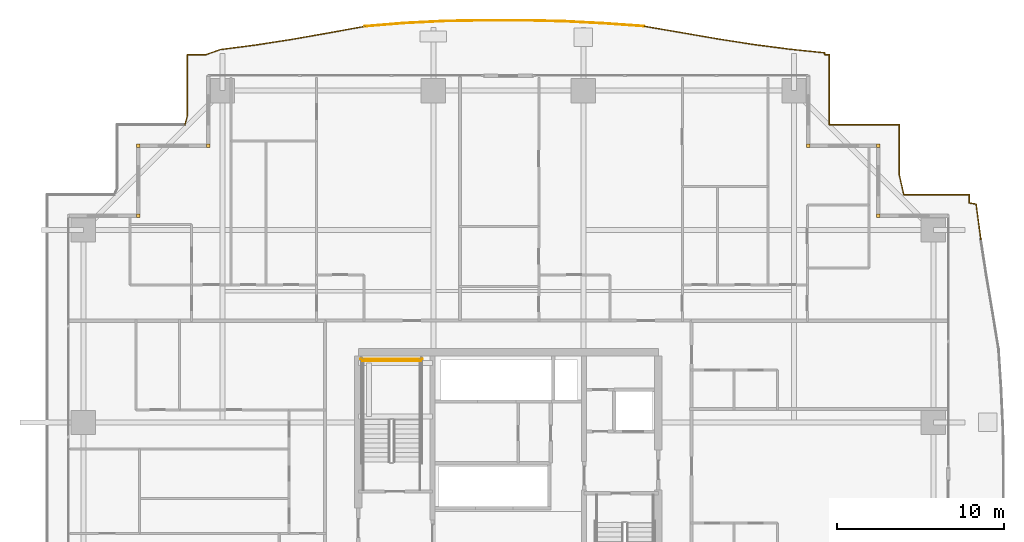
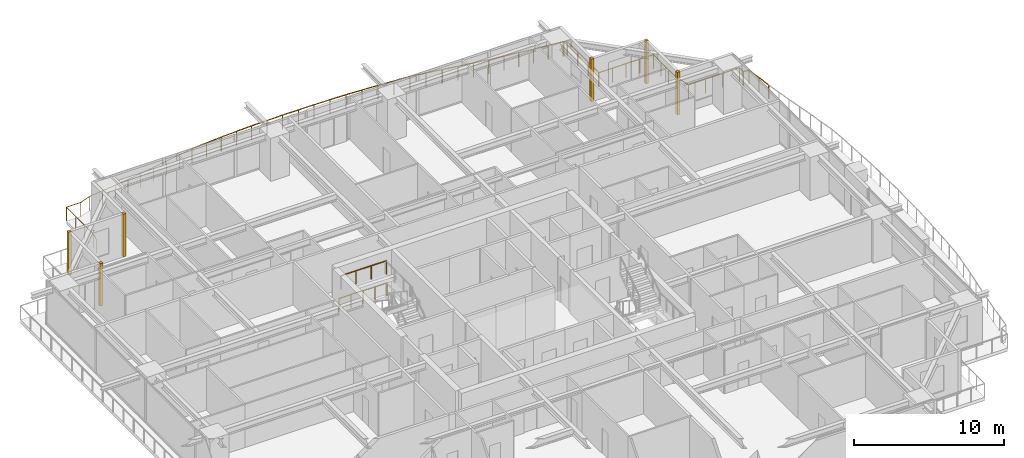
# One storey, part 38 of 38: 6 coverings, 6 railings.
"""IFC4 building model written with IfcOpenShell, lengths in metres."""

import ifcopenshell
import ifcopenshell.guid

model = None  # the IFC model being written
_history = None  # IfcOwnerHistory: only IFC2X3 demands one
_inside = {}  # id of a spatial element -> (the spatial element, [elements in it])
_under = {}  # id of a project, library or spatial element -> (it, [spatial elements below it])
_declared = {}  # id of a project -> (the project, [libraries it declares])
_typed = {}  # id of a type object -> (the type object, [elements of that type])
_made_of = {}  # id of a material, layer set ... -> (it, [elements and type objects made of it])


def new_model(schema):
    """Start an empty IFC model of exactly this schema.

    Asked for "IFC4X3", IfcOpenShell would pick the latest addendum, in which some entities
    have other attributes; the version numbers below select the first issue.
    IFC2X3 requires an IfcOwnerHistory on every rooted entity: one is made here for all.
    """
    global model, _history
    if schema == "IFC4X3":
        model = ifcopenshell.file(schema_version=(4, 3, 0, 0))
    else:
        model = ifcopenshell.file(schema=schema)
    _inside.clear()
    _under.clear()
    _declared.clear()
    _typed.clear()
    _made_of.clear()
    _history = None
    if model.schema == "IFC2X3":
        org = make("IfcOrganization", Name="unknown")
        user = make(
            "IfcPersonAndOrganization",
            ThePerson=make("IfcPerson", FamilyName="unknown"),
            TheOrganization=org,
        )
        app = make(
            "IfcApplication",
            ApplicationDeveloper=org,
            Version="unknown",
            ApplicationFullName="unknown",
            ApplicationIdentifier="unknown",
        )
        _history = make(
            "IfcOwnerHistory",
            OwningUser=user,
            OwningApplication=app,
            ChangeAction="ADDED",
            CreationDate=0,
        )
    return model


def make(cls, **values):
    """One entity of the class cls with the attributes given. An attribute that is None is left unset."""
    return model.create_entity(
        cls, **{name: value for name, value in values.items() if value is not None}
    )


def rooted(cls, **values):
    """An entity with a GlobalId (a new one), such as an element, a storey or a relation."""
    return make(cls, GlobalId=ifcopenshell.guid.new(), OwnerHistory=_history, **values)


def si_unit(unit_type, name, prefix=None):
    """IfcSIUnit, for example si_unit("LENGTHUNIT", "METRE", prefix="MILLI")."""
    return make("IfcSIUnit", UnitType=unit_type, Prefix=prefix, Name=name)


def assignment(units):
    """IfcUnitAssignment: the units of a project."""
    return None if units is None else make("IfcUnitAssignment", Units=units)


def point(xyz):
    """IfcCartesianPoint."""
    return None if xyz is None else make("IfcCartesianPoint", Coordinates=xyz)


def direction(xyz):
    """IfcDirection."""
    return None if xyz is None else make("IfcDirection", DirectionRatios=xyz)


def frame(location, z_axis=None, x_axis=None):
    """IfcAxis2Placement3D, a coordinate frame: its origin and axes. An axis left out is left unset."""
    return make(
        "IfcAxis2Placement3D",
        Location=point(location),
        Axis=direction(z_axis),
        RefDirection=direction(x_axis),
    )


def frame_2d(location, x_axis=None):
    """IfcAxis2Placement2D, a coordinate frame in the plane: its origin and x axis."""
    return make(
        "IfcAxis2Placement2D", Location=point(location), RefDirection=direction(x_axis)
    )


def origin():
    """The frame at (0, 0, 0) with its axes left unset."""
    return frame((0.0, 0.0, 0.0))


def origin_2d():
    """The frame at (0, 0) in the plane with its x axis left unset."""
    return frame_2d((0.0, 0.0))


def place(relative_to, where):
    """IfcLocalPlacement: puts the frame where relative to a parent placement (None: the world)."""
    return make(
        "IfcLocalPlacement", PlacementRelTo=relative_to, RelativePlacement=where
    )


def context(
    kind, dimensions, precision=None, world=None, true_north=None, identifier=None
):
    """IfcGeometricRepresentationContext, for example the 3D "Model" context."""
    return make(
        "IfcGeometricRepresentationContext",
        ContextIdentifier=identifier,
        ContextType=kind,
        CoordinateSpaceDimension=dimensions,
        Precision=precision,
        WorldCoordinateSystem=world,
        TrueNorth=true_north,
    )


def subcontext(parent, identifier, kind, view, scale=None):
    """IfcGeometricRepresentationSubContext, for example "Body" below "Model"."""
    return make(
        "IfcGeometricRepresentationSubContext",
        ContextIdentifier=identifier,
        ContextType=kind,
        ParentContext=parent,
        TargetScale=scale,
        TargetView=view,
    )


def project(units=None, contexts=None):
    """IfcProject with its units and contexts."""
    return rooted(
        "IfcProject",
        Name="project",
        RepresentationContexts=contexts,
        UnitsInContext=assignment(units),
    )


def spatial(cls, under=None, at=None, **own):
    """A site, building, storey or space (cls), placed at a placement, below another one or the project."""
    s = rooted(cls, ObjectPlacement=at, **own)
    if under is not None:
        _under.setdefault(under.id(), (under, []))[1].append(s)
    return s


def profile(cls, at=None, kind="AREA", **sizes):
    """A parametric profile (cls). Its sizes go by their IFC names, for example OverallWidth=200.0."""
    return make(cls, ProfileType=kind, Position=at, **sizes)


def rectangle(**sizes):
    """IfcRectangleProfileDef."""
    return profile("IfcRectangleProfileDef", **sizes)


def circle(**sizes):
    """IfcCircleProfileDef."""
    return profile("IfcCircleProfileDef", **sizes)


def extrude(swept, where, along, depth):
    """IfcExtrudedAreaSolid: the profile swept, set in the frame where, extruded along a direction by depth."""
    return make(
        "IfcExtrudedAreaSolid",
        SweptArea=swept,
        Position=where,
        ExtrudedDirection=direction(along),
        Depth=depth,
    )


def shape(context_of_items, identifier, shape_type, items):
    """IfcShapeRepresentation: the items that make up one representation, for example the "Body"."""
    return make(
        "IfcShapeRepresentation",
        ContextOfItems=context_of_items,
        RepresentationIdentifier=identifier,
        RepresentationType=shape_type,
        Items=items,
    )


def source(mapping_origin, context_of_items, identifier, shape_type, items):
    """IfcRepresentationMap: a shape defined once, which mapped items show again and again."""
    return make(
        "IfcRepresentationMap",
        MappingOrigin=mapping_origin,
        MappedRepresentation=shape(context_of_items, identifier, shape_type, items),
    )


def transform(
    local_origin,
    x_axis=None,
    y_axis=None,
    z_axis=None,
    scale=None,
    scale2=None,
    scale3=None,
    uniform=True,
):
    """IfcCartesianTransformationOperator3D, or its non-uniform kind. x_axis, y_axis, z_axis: its Axis1, 2, 3."""
    if uniform:
        return make(
            "IfcCartesianTransformationOperator3D",
            Axis1=direction(x_axis),
            Axis2=direction(y_axis),
            LocalOrigin=point(local_origin),
            Scale=scale,
            Axis3=direction(z_axis),
        )
    return make(
        "IfcCartesianTransformationOperator3DnonUniform",
        Axis1=direction(x_axis),
        Axis2=direction(y_axis),
        LocalOrigin=point(local_origin),
        Scale=scale,
        Axis3=direction(z_axis),
        Scale2=scale2,
        Scale3=scale3,
    )


def mapped(mapping_source, mapping_target):
    """IfcMappedItem: shows the shape of a source again, moved by a transform."""
    return make(
        "IfcMappedItem", MappingSource=mapping_source, MappingTarget=mapping_target
    )


def material(Name=None, Category=None):
    """IfcMaterial."""
    return make("IfcMaterial", Name=Name, Category=Category)


def layer(
    of_material, thickness, ventilated=None, Name=None, Category=None, Priority=None
):
    """IfcMaterialLayer: one layer of a wall or slab, of a material (None: an air gap)."""
    return make(
        "IfcMaterialLayer",
        Material=of_material,
        LayerThickness=thickness,
        IsVentilated=ventilated,
        Name=Name,
        Category=Category,
        Priority=Priority,
    )


def layer_set(layers, Name=None):
    """IfcMaterialLayerSet."""
    return make("IfcMaterialLayerSet", MaterialLayers=layers, LayerSetName=Name)


def made_of(thing, what):
    """Note that an element or type object is made of a material, layer set ...; save() writes the relation."""
    if what is not None:
        _made_of.setdefault(what.id(), (what, []))[1].append(thing)
    return thing


def type_object(cls, material=None, **own):
    """A type object (cls), such as IfcWallType, which elements share."""
    return made_of(rooted(cls, **own), material)


def element(
    cls,
    number,
    at=None,
    inside=None,
    cuts=None,
    type_object=None,
    material=None,
    context=None,
    identifier="Body",
    shape_type=None,
    held_by="IfcProductDefinitionShape",
    body=None,
    shapes=None,
    **own,
):
    """One element of the class cls, such as IfcWall. Its Tag is "e" and its number.

    at: its placement. inside: the storey or other place that contains it. cuts: it is an
    opening in that element (IfcRelVoidsElement). A single representation is given by context,
    identifier, shape_type and body (its items); several are given by shapes. held_by: the class
    of the entity that holds the representations. save() writes the other relations.
    """
    e = rooted(cls, Tag="e%d" % number, ObjectPlacement=at, **own)
    if body is not None:
        shapes = [shape(context, identifier, shape_type, body)]
    if shapes is not None:
        e.Representation = make(held_by, Representations=shapes)
    if inside is not None:
        _inside.setdefault(inside.id(), (inside, []))[1].append(e)
    if cuts is not None:
        rooted(
            "IfcRelVoidsElement", RelatingBuildingElement=cuts, RelatedOpeningElement=e
        )
    if type_object is not None:
        _typed.setdefault(type_object.id(), (type_object, []))[1].append(e)
    return made_of(e, material)


def aggregate(whole, parts):
    """IfcRelAggregates: a whole, such as a stair, and the parts it consists of."""
    return rooted("IfcRelAggregates", RelatingObject=whole, RelatedObjects=parts)


def save(model, path):
    """Write the relations noted so far, then the file.

    IfcRelAggregates (storeys below a building ...), IfcRelContainedInSpatialStructure (elements
    in a storey), IfcRelDefinesByType, IfcRelAssociatesMaterial and IfcRelDeclares: one each for
    every whole, place, type object, material and project.
    """
    for whole, parts in _under.values():
        aggregate(whole, parts)
    for where, things in _inside.values():
        rooted(
            "IfcRelContainedInSpatialStructure",
            RelatedElements=things,
            RelatingStructure=where,
        )
    for kind, things in _typed.values():
        rooted("IfcRelDefinesByType", RelatedObjects=things, RelatingType=kind)
    for what, things in _made_of.values():
        rooted("IfcRelAssociatesMaterial", RelatedObjects=things, RelatingMaterial=what)
    for by, libraries in _declared.values():
        rooted("IfcRelDeclares", RelatingContext=by, RelatedDefinitions=libraries)
    model.write(path)


model = new_model("IFC4")

# Units and contexts
model_context = context("Model", 3, precision=1e-05, world=origin(), true_north=direction((0.0, 1.0)))
body_context = subcontext(model_context, "Body", "Model", "MODEL_VIEW")
ifc_project = project(units=[si_unit("LENGTHUNIT", "METRE"), si_unit("AREAUNIT", "SQUARE_METRE"), si_unit("VOLUMEUNIT", "CUBIC_METRE"), si_unit("PLANEANGLEUNIT", "RADIAN"), si_unit("MASSUNIT", "GRAM", prefix="KILO")], contexts=[model_context])

# Site, building, storey
site_placement = place(None, origin())
site = spatial("IfcSite", under=ifc_project, at=site_placement, CompositionType="ELEMENT")
building_placement = place(site_placement, origin())
building = spatial("IfcBuilding", under=site, at=building_placement, Name="Serunith Strait Residences", CompositionType="ELEMENT")
storey_placement = place(building_placement, frame((0.0, 0.0, 82.949951171875)))
storey = spatial("IfcBuildingStorey", under=building, at=storey_placement, Name="L20", CompositionType="ELEMENT", Elevation=82.949951171875)

# Railings
ifc_material_1 = material(Name="Stainless Steel & Laminated Glass Balustrade", Category="steel")
railing_type_1 = type_object("IfcRailingType", Name="RLG-BALC-1150", PredefinedType="BALUSTRADE", material=ifc_material_1)
railing_1_placement = place(storey_placement, frame((12.99658203125, 47.260009765625, -0.050048828125)))
element("IfcRailing", 1, at=railing_1_placement, inside=storey, type_object=railing_type_1, Name="L20 Swirling Balcony Perimeter Balustrade 1", PredefinedType="BALUSTRADE", context=body_context, shape_type="SweptSolid", body=[
    extrude(circle(Radius=0.02392578125, at=origin_2d()), frame((0.00048828125, 0.001953125, 1.1259765625), z_axis=(0.255414145636, 0.966831740381, 0.0), x_axis=(-0.966831740381, 0.255414145636, 0.0)), (0.0, 0.0, 1.0), 0.55712890625),
    extrude(circle(Radius=0.02392578125, at=origin_2d()), frame((0.143310546875, 0.54443359375, 1.1259765625), z_axis=(0.0, 1.0, 0.0), x_axis=(-1.0, 0.0, 0.0)), (0.0, 0.0, 1.0), 3.653564453125),
    extrude(circle(Radius=0.02392578125, at=origin_2d()), frame((0.145263671875, 4.199951171875, 1.1259765625), z_axis=(1.0, 0.0, 0.0), x_axis=(0.0, 1.0, 0.0)), (0.0, 0.0, 1.0), 1.10791015625),
    extrude(circle(Radius=0.02392578125, at=origin_2d()), frame((1.257080078125, 4.20068359375, 1.1259765625), z_axis=(0.940740950108, 0.339126030836, 0.0), x_axis=(-0.339126030836, 0.940740950108, 0.0)), (0.0, 0.0, 1.0), 0.910400390625),
    extrude(circle(Radius=0.02392578125, at=origin_2d()), frame((2.1171875, 4.51025390625, 1.1259765625), z_axis=(0.991765712114, 0.128065499942, 0.0), x_axis=(-0.128065499942, 0.991765712114, 0.0)), (0.0, 0.0, 1.0), 2.135009765625),
    extrude(circle(Radius=0.02392578125, at=origin_2d()), frame((4.238525390625, 4.7841796875, 1.1259765625), z_axis=(0.988143846319, 0.153530905623, 0.0), x_axis=(-0.153530905623, 0.988143846319, 0.0)), (0.0, 0.0, 1.0), 2.161865234375),
    extrude(circle(Radius=0.02392578125, at=origin_2d()), frame((6.378662109375, 5.11669921875, 1.1259765625), z_axis=(0.984996232379, 0.172575844772, 0.0), x_axis=(-0.172575844772, 0.984996232379, 0.0)), (0.0, 0.0, 1.0), 2.207275390625),
    extrude(circle(Radius=0.02392578125, at=origin_2d()), frame((8.556640625, 5.498291015625, 1.1259765625), z_axis=(0.984029368343, 0.178006185955, 0.0), x_axis=(-0.178006185955, 0.984029368343, 0.0)), (0.0, 0.0, 1.0), 2.2685546875),
    extrude(circle(Radius=0.02099609375, at=origin_2d()), origin(), (0.0, 0.0, 1.0), 1.099853515625),
    extrude(circle(Radius=0.02099609375, at=origin_2d()), frame((0.143310546875, 0.54248046875, 0.0)), (0.0, 0.0, 1.0), 1.099853515625),
    extrude(circle(Radius=0.02099609375, at=origin_2d()), frame((0.143310546875, 1.76171875, 0.0)), (0.0, 0.0, 1.0), 1.099853515625),
    extrude(circle(Radius=0.02099609375, at=origin_2d()), frame((0.143310546875, 2.980712890625, 0.0)), (0.0, 0.0, 1.0), 1.099853515625),
    extrude(circle(Radius=0.02099609375, at=origin_2d()), frame((0.143310546875, 4.199951171875, 0.0)), (0.0, 0.0, 1.0), 1.099853515625),
    extrude(circle(Radius=0.02099609375, at=origin_2d()), frame((1.255126953125, 4.199951171875, 0.0)), (0.0, 0.0, 1.0), 1.099853515625),
    extrude(circle(Radius=0.02099609375, at=origin_2d()), frame((2.115234375, 4.510009765625, 0.0)), (0.0, 0.0, 1.0), 1.099853515625),
    extrude(circle(Radius=0.02099609375, at=origin_2d()), frame((3.17578125, 4.64697265625, 0.0)), (0.0, 0.0, 1.0), 1.099853515625),
    extrude(circle(Radius=0.02099609375, at=origin_2d()), frame((4.236572265625, 4.783935546875, 0.0)), (0.0, 0.0, 1.0), 1.099853515625),
    extrude(circle(Radius=0.02099609375, at=origin_2d()), frame((5.306640625, 4.9501953125, 0.0)), (0.0, 0.0, 1.0), 1.099853515625),
    extrude(circle(Radius=0.02099609375, at=origin_2d()), frame((6.376708984375, 5.116455078125, 0.0)), (0.0, 0.0, 1.0), 1.099853515625),
    extrude(circle(Radius=0.02099609375, at=origin_2d()), frame((7.4658203125, 5.30712890625, 0.0)), (0.0, 0.0, 1.0), 1.099853515625),
    extrude(circle(Radius=0.02099609375, at=origin_2d()), frame((8.5546875, 5.498046875, 0.0)), (0.0, 0.0, 1.0), 1.099853515625),
    extrude(circle(Radius=0.02099609375, at=origin_2d()), frame((9.6728515625, 5.7001953125, 0.0)), (0.0, 0.0, 1.0), 1.099853515625),
    extrude(circle(Radius=0.02099609375, at=origin_2d()), frame((10.791015625, 5.902587890625, 0.0)), (0.0, 0.0, 1.0), 1.099853515625),
])
railing_2_placement = place(storey_placement, frame((23.78759765625, 53.16259765625, -0.050048828125)))
element("IfcRailing", 2, at=railing_2_placement, inside=storey, type_object=railing_type_1, Name="L20 Swirling Balcony Perimeter Balustrade 2", PredefinedType="BALUSTRADE", context=body_context, shape_type="SweptSolid", body=[
    extrude(circle(Radius=0.02392578125, at=origin_2d()), frame((0.001953125, 0.000244140625, 1.1259765625), z_axis=(0.996647019871, 0.081821255082, 0.0), x_axis=(-0.081821255082, 0.996647019871, 0.0)), (0.0, 0.0, 1.0), 2.356201171875),
    extrude(circle(Radius=0.02392578125, at=origin_2d()), frame((2.354248046875, 0.193115234375, 1.1259765625), z_axis=(0.998724774687, 0.050485883433, 0.0), x_axis=(-0.050485883433, 0.998724774687, 0.0)), (0.0, 0.0, 1.0), 2.39453125),
    extrude(circle(Radius=0.02392578125, at=origin_2d()), frame((4.749755859375, 0.314208984375, 1.1259765625), z_axis=(0.999840535015, 0.017857898557, 0.0), x_axis=(-0.017857898557, 0.999840535015, 0.0)), (0.0, 0.0, 1.0), 2.415771484375),
    extrude(circle(Radius=0.02392578125, at=origin_2d()), frame((7.169189453125, 0.357421875, 1.1259765625), z_axis=(1.0, 0.0, 0.0), x_axis=(0.0, 1.0, 0.0)), (0.0, 0.0, 1.0), 2.42333984375),
    extrude(circle(Radius=0.02392578125, at=origin_2d()), frame((9.596435546875, 0.357421875, 1.1259765625), z_axis=(0.999718785197, -0.023713931011, 0.0), x_axis=(0.023713931011, 0.999718785197, 0.0)), (0.0, 0.0, 1.0), 2.415283203125),
    extrude(circle(Radius=0.02392578125, at=origin_2d()), frame((12.01513671875, 0.300048828125, 1.1259765625), z_axis=(0.998630732022, -0.052313106019, 0.0), x_axis=(0.052313106019, 0.998630732022, 0.0)), (0.0, 0.0, 1.0), 2.394775390625),
    extrude(circle(Radius=0.02392578125, at=origin_2d()), frame((14.41064453125, 0.17431640625, 1.1259765625), z_axis=(0.997479596981, -0.070953883656, 0.0), x_axis=(0.070953883656, 0.997479596981, 0.0)), (0.0, 0.0, 1.0), 2.36328125),
    extrude(circle(Radius=0.02099609375, at=origin_2d()), origin(), (0.0, 0.0, 1.0), 1.099853515625),
    extrude(circle(Radius=0.02099609375, at=origin_2d()), frame((1.17626953125, 0.0966796875, 0.0)), (0.0, 0.0, 1.0), 1.099853515625),
    extrude(circle(Radius=0.02099609375, at=origin_2d()), frame((2.352294921875, 0.193115234375, 0.0)), (0.0, 0.0, 1.0), 1.099853515625),
    extrude(circle(Radius=0.02099609375, at=origin_2d()), frame((3.550048828125, 0.253662109375, 0.0)), (0.0, 0.0, 1.0), 1.099853515625),
    extrude(circle(Radius=0.02099609375, at=origin_2d()), frame((4.747802734375, 0.314208984375, 0.0)), (0.0, 0.0, 1.0), 1.099853515625),
    extrude(circle(Radius=0.02099609375, at=origin_2d()), frame((5.95751953125, 0.3359375, 0.0)), (0.0, 0.0, 1.0), 1.099853515625),
    extrude(circle(Radius=0.02099609375, at=origin_2d()), frame((7.167236328125, 0.357421875, 0.0)), (0.0, 0.0, 1.0), 1.099853515625),
    extrude(circle(Radius=0.02099609375, at=origin_2d()), frame((8.380859375, 0.357421875, 0.0)), (0.0, 0.0, 1.0), 1.099853515625),
    extrude(circle(Radius=0.02099609375, at=origin_2d()), frame((9.594482421875, 0.357421875, 0.0)), (0.0, 0.0, 1.0), 1.099853515625),
    extrude(circle(Radius=0.02099609375, at=origin_2d()), frame((10.8037109375, 0.32861328125, 0.0)), (0.0, 0.0, 1.0), 1.099853515625),
    extrude(circle(Radius=0.02099609375, at=origin_2d()), frame((12.01318359375, 0.300048828125, 0.0)), (0.0, 0.0, 1.0), 1.099853515625),
    extrude(circle(Radius=0.02099609375, at=origin_2d()), frame((13.2109375, 0.2373046875, 0.0)), (0.0, 0.0, 1.0), 1.099853515625),
    extrude(circle(Radius=0.02099609375, at=origin_2d()), frame((14.40869140625, 0.174560546875, 0.0)), (0.0, 0.0, 1.0), 1.099853515625),
    extrude(circle(Radius=0.02099609375, at=origin_2d()), frame((15.58935546875, 0.090576171875, 0.0)), (0.0, 0.0, 1.0), 1.099853515625),
    extrude(circle(Radius=0.02099609375, at=origin_2d()), frame((16.77001953125, 0.006591796875, 0.0)), (0.0, 0.0, 1.0), 1.099853515625),
])
railing_3_placement = place(storey_placement, frame((40.5576171875, 53.169189453125, -0.050048828125)))
element("IfcRailing", 3, at=railing_3_placement, inside=storey, type_object=railing_type_1, Name="L20 Swirling Balcony Perimeter Balustrade 3", PredefinedType="BALUSTRADE", context=body_context, shape_type="SweptSolid", body=[
    extrude(circle(Radius=0.02392578125, at=origin_2d()), frame((0.001953125, -0.000244140625, 1.1259765625), z_axis=(0.985759774184, -0.168159649148, 0.0), x_axis=(0.168159649148, 0.985759774184, 0.0)), (0.0, 0.0, 1.0), 2.27978515625),
    extrude(circle(Radius=0.02392578125, at=origin_2d()), frame((2.253173828125, -0.38427734375, 1.1259765625), z_axis=(0.985269007959, -0.171011642748, 0.0), x_axis=(0.171011642748, 0.985269007959, 0.0)), (0.0, 0.0, 1.0), 2.216064453125),
    extrude(circle(Radius=0.02392578125, at=origin_2d()), frame((4.4404296875, -0.763916015625, 1.1259765625), z_axis=(0.988194434934, -0.153204956723, 0.0), x_axis=(0.153204956723, 0.988194434934, 0.0)), (0.0, 0.0, 1.0), 2.169677734375),
    extrude(circle(Radius=0.02392578125, at=origin_2d()), frame((6.58837890625, -1.096923828125, 1.1259765625), z_axis=(0.991694712254, -0.128614142643, 0.0), x_axis=(0.128614142643, 0.991694712254, 0.0)), (0.0, 0.0, 1.0), 2.14111328125),
    extrude(circle(Radius=0.02392578125, at=origin_2d()), frame((8.715576171875, -1.372802734375, 1.1259765625), z_axis=(0.994659400451, -0.103211806957, 0.0), x_axis=(0.103211806957, 0.994659400451, 0.0)), (0.0, 0.0, 1.0), 2.127197265625),
    extrude(circle(Radius=0.02392578125, at=origin_2d()), frame((10.83349609375, -1.594482421875, 1.1259765625), z_axis=(-0.006276027022, -0.999980305548, 0.0), x_axis=(0.999980305548, -0.006276027022, 0.0)), (0.0, 0.0, 1.0), 0.11279296875),
    extrude(circle(Radius=0.02392578125, at=origin_2d()), frame((10.834716796875, -1.709228515625, 1.1259765625), z_axis=(1.0, 0.0, 0.0), x_axis=(0.0, 1.0, 0.0)), (0.0, 0.0, 1.0), 0.265625),
    extrude(circle(Radius=0.02392578125, at=origin_2d()), frame((11.102294921875, -1.711181640625, 1.1259765625), z_axis=(0.0, -1.0, 0.0), x_axis=(1.0, 0.0, 0.0)), (0.0, 0.0, 1.0), 4.196044921875),
    extrude(circle(Radius=0.02099609375, at=origin_2d()), origin(), (0.0, 0.0, 1.0), 1.099853515625),
    extrude(circle(Radius=0.02099609375, at=origin_2d()), frame((1.12548828125, -0.19189453125, 0.0)), (0.0, 0.0, 1.0), 1.099853515625),
    extrude(circle(Radius=0.02099609375, at=origin_2d()), frame((2.251220703125, -0.384033203125, 0.0)), (0.0, 0.0, 1.0), 1.099853515625),
    extrude(circle(Radius=0.02099609375, at=origin_2d()), frame((3.3447265625, -0.57373046875, 0.0)), (0.0, 0.0, 1.0), 1.099853515625),
    extrude(circle(Radius=0.02099609375, at=origin_2d()), frame((4.4384765625, -0.763671875, 0.0)), (0.0, 0.0, 1.0), 1.099853515625),
    extrude(circle(Radius=0.02099609375, at=origin_2d()), frame((5.512451171875, -0.93017578125, 0.0)), (0.0, 0.0, 1.0), 1.099853515625),
    extrude(circle(Radius=0.02099609375, at=origin_2d()), frame((6.58642578125, -1.0966796875, 0.0)), (0.0, 0.0, 1.0), 1.099853515625),
    extrude(circle(Radius=0.02099609375, at=origin_2d()), frame((7.64990234375, -1.234619140625, 0.0)), (0.0, 0.0, 1.0), 1.099853515625),
    extrude(circle(Radius=0.02099609375, at=origin_2d()), frame((8.713623046875, -1.37255859375, 0.0)), (0.0, 0.0, 1.0), 1.099853515625),
    extrude(circle(Radius=0.02099609375, at=origin_2d()), frame((9.7734375, -1.482421875, 0.0)), (0.0, 0.0, 1.0), 1.099853515625),
    extrude(circle(Radius=0.02099609375, at=origin_2d()), frame((10.83349609375, -1.592529296875, 0.0)), (0.0, 0.0, 1.0), 1.099853515625),
    extrude(circle(Radius=0.02099609375, at=origin_2d()), frame((10.832763671875, -1.709228515625, 0.0)), (0.0, 0.0, 1.0), 1.099853515625),
    extrude(circle(Radius=0.02099609375, at=origin_2d()), frame((11.102294921875, -1.709228515625, 0.0)), (0.0, 0.0, 1.0), 1.099853515625),
    extrude(circle(Radius=0.02099609375, at=origin_2d()), frame((11.102294921875, -3.109130859375, 0.0)), (0.0, 0.0, 1.0), 1.099853515625),
    extrude(circle(Radius=0.02099609375, at=origin_2d()), frame((11.102294921875, -4.50927734375, 0.0)), (0.0, 0.0, 1.0), 1.099853515625),
    extrude(circle(Radius=0.02099609375, at=origin_2d()), frame((11.102294921875, -5.9091796875, 0.0)), (0.0, 0.0, 1.0), 1.099853515625),
])
railing_4_placement = place(storey_placement, frame((51.659912109375, 47.260009765625, -0.050048828125)))
element("IfcRailing", 4, at=railing_4_placement, inside=storey, type_object=railing_type_1, Name="L20 Swirling Balcony Perimeter Balustrade 4", PredefinedType="BALUSTRADE", context=body_context, shape_type="SweptSolid", body=[
    extrude(circle(Radius=0.02392578125, at=origin_2d()), frame((0.001953125, 0.0, 1.1259765625), z_axis=(1.0, 0.0, 0.0), x_axis=(0.0, 1.0, 0.0)), (0.0, 0.0, 1.0), 4.1962890625),
    extrude(circle(Radius=0.02392578125, at=origin_2d()), frame((4.2001953125, -0.001953125, 1.1259765625), z_axis=(0.0, -1.0, 0.0), x_axis=(1.0, 0.0, 0.0)), (0.0, 0.0, 1.0), 3.00537109375),
    extrude(circle(Radius=0.02392578125, at=origin_2d()), frame((4.20068359375, -3.01123046875, 1.1259765625), z_axis=(0.224582238345, -0.974455139152, 0.0), x_axis=(0.974455139152, 0.224582238345, 0.0)), (0.0, 0.0, 1.0), 1.2177734375),
    extrude(circle(Radius=0.02392578125, at=origin_2d()), frame((4.4765625, -4.199951171875, 1.1259765625), z_axis=(1.0, 0.0, 0.0), x_axis=(0.0, 1.0, 0.0)), (0.0, 0.0, 1.0), 3.921630859375),
    extrude(circle(Radius=0.02392578125, at=origin_2d()), frame((8.400146484375, -4.201904296875, 1.1259765625), z_axis=(0.0, -1.0, 0.0), x_axis=(1.0, 0.0, 0.0)), (0.0, 0.0, 1.0), 0.492431640625),
    extrude(circle(Radius=0.02392578125, at=origin_2d()), frame((8.402099609375, -4.696533203125, 1.1259765625), z_axis=(0.987520583194, -0.157489992594, 0.0), x_axis=(0.157489992594, 0.987520583194, 0.0)), (0.0, 0.0, 1.0), 0.41455078125),
    extrude(circle(Radius=0.02392578125, at=origin_2d()), frame((8.813720703125, -4.76416015625, 1.1259765625), z_axis=(0.130725270602, -0.991418631874, 0.0), x_axis=(0.991418631874, 0.130725270602, 0.0)), (0.0, 0.0, 1.0), 2.141845703125),
    extrude(circle(Radius=0.02099609375, at=origin_2d()), origin(), (0.0, 0.0, 1.0), 1.099853515625),
    extrude(circle(Radius=0.02099609375, at=origin_2d()), frame((1.050048828125, 0.0, 0.0)), (0.0, 0.0, 1.0), 1.099853515625),
    extrude(circle(Radius=0.02099609375, at=origin_2d()), frame((2.10009765625, 0.0, 0.0)), (0.0, 0.0, 1.0), 1.099853515625),
    extrude(circle(Radius=0.02099609375, at=origin_2d()), frame((3.150146484375, 0.0, 0.0)), (0.0, 0.0, 1.0), 1.099853515625),
    extrude(circle(Radius=0.02099609375, at=origin_2d()), frame((4.2001953125, 0.0, 0.0)), (0.0, 0.0, 1.0), 1.099853515625),
    extrude(circle(Radius=0.02099609375, at=origin_2d()), frame((4.2001953125, -1.003173828125, 0.0)), (0.0, 0.0, 1.0), 1.099853515625),
    extrude(circle(Radius=0.02099609375, at=origin_2d()), frame((4.2001953125, -2.006103515625, 0.0)), (0.0, 0.0, 1.0), 1.099853515625),
    extrude(circle(Radius=0.02099609375, at=origin_2d()), frame((4.2001953125, -3.00927734375, 0.0)), (0.0, 0.0, 1.0), 1.099853515625),
    extrude(circle(Radius=0.02099609375, at=origin_2d()), frame((4.474609375, -4.199951171875, 0.0)), (0.0, 0.0, 1.0), 1.099853515625),
    extrude(circle(Radius=0.02099609375, at=origin_2d()), frame((5.783203125, -4.199951171875, 0.0)), (0.0, 0.0, 1.0), 1.099853515625),
    extrude(circle(Radius=0.02099609375, at=origin_2d()), frame((7.091552734375, -4.199951171875, 0.0)), (0.0, 0.0, 1.0), 1.099853515625),
    extrude(circle(Radius=0.02099609375, at=origin_2d()), frame((8.400146484375, -4.199951171875, 0.0)), (0.0, 0.0, 1.0), 1.099853515625),
    extrude(circle(Radius=0.02099609375, at=origin_2d()), frame((8.400146484375, -4.6962890625, 0.0)), (0.0, 0.0, 1.0), 1.099853515625),
    extrude(circle(Radius=0.02099609375, at=origin_2d()), frame((8.8134765625, -4.76220703125, 0.0)), (0.0, 0.0, 1.0), 1.099853515625),
    extrude(circle(Radius=0.02099609375, at=origin_2d()), frame((8.95361328125, -5.825927734375, 0.0)), (0.0, 0.0, 1.0), 1.099853515625),
    extrude(circle(Radius=0.02099609375, at=origin_2d()), frame((9.093994140625, -6.8896484375, 0.0)), (0.0, 0.0, 1.0), 1.099853515625),
])
ifc_material_2 = material(Name="Brushed stainless steel 316L", Category="steel")
railing_type_2 = type_object("IfcRailingType", Name="RLG-STAIR-GUARD", PredefinedType="BALUSTRADE", material=ifc_material_2)
railing_5_placement = place(storey_placement, frame((27.14990234375, 33.10009765625, 1.875)))
element("IfcRailing", 5, at=railing_5_placement, inside=storey, type_object=railing_type_2, Name="L20 ST-1 stair guard 5", PredefinedType="BALUSTRADE", context=body_context, shape_type="SweptSolid", body=[
    extrude(circle(Radius=0.02392578125, at=origin_2d()), frame((-0.001953125, 0.0, 1.076171875), z_axis=(-1.0, 0.0, 0.0), x_axis=(0.0, -1.0, 0.0)), (0.0, 0.0, 1.0), 3.49609375),
    extrude(circle(Radius=0.02099609375, at=origin_2d()), origin(), (0.0, 0.0, 1.0), 1.050048828125),
    extrude(circle(Radius=0.02099609375, at=origin_2d()), frame((-1.166748046875, 0.0, 0.0)), (0.0, 0.0, 1.0), 1.050048828125),
    extrude(circle(Radius=0.02099609375, at=origin_2d()), frame((-2.333251953125, 0.0, 0.0)), (0.0, 0.0, 1.0), 1.050048828125),
    extrude(circle(Radius=0.02099609375, at=origin_2d()), frame((-3.5, 0.0, 0.0)), (0.0, 0.0, 1.0), 1.050048828125),
])
railing_6_placement = place(storey_placement, frame((27.25, 33.199951171875, 0.0)))
element("IfcRailing", 6, at=railing_6_placement, inside=storey, type_object=railing_type_2, Name="L20 ST-1 stair guard 12", PredefinedType="BALUSTRADE", context=body_context, shape_type="SweptSolid", body=[
    extrude(circle(Radius=0.02392578125, at=origin_2d()), frame((-0.001953125, 0.0, 1.076171875), z_axis=(-1.0, 0.0, 0.0), x_axis=(0.0, -1.0, 0.0)), (0.0, 0.0, 1.0), 3.696044921875),
    extrude(circle(Radius=0.02099609375, at=origin_2d()), origin(), (0.0, 0.0, 1.0), 1.050048828125),
    extrude(circle(Radius=0.02099609375, at=origin_2d()), frame((-0.925048828125, 0.0, 0.0)), (0.0, 0.0, 1.0), 1.050048828125),
    extrude(circle(Radius=0.02099609375, at=origin_2d()), frame((-1.85009765625, 0.0, 0.0)), (0.0, 0.0, 1.0), 1.050048828125),
    extrude(circle(Radius=0.02099609375, at=origin_2d()), frame((-2.77490234375, 0.0, 0.0)), (0.0, 0.0, 1.0), 1.050048828125),
    extrude(circle(Radius=0.02099609375, at=origin_2d()), frame((-3.699951171875, 0.0, 0.0)), (0.0, 0.0, 1.0), 1.050048828125),
])

# Coverings
ifc_material_3 = material(Name="Pale-Champagne Anodised Aluminium", Category="aluminium")
ifc_layer = layer(ifc_material_3, 0.219970703125, Name="Pale-Champagne Anodised Aluminium")
ifc_layer_set = layer_set([ifc_layer], Name="Pale-Champagne Anodised Aluminium")
covering_type = type_object("IfcCoveringType", Name="COV-CORN-TRIM", PredefinedType="CLADDING", material=ifc_layer_set)
shared_shape = source(origin(), body_context, "Body", "SweptSolid", [
    extrude(rectangle(XDim=0.221923828125, YDim=0.221923828125, at=origin_2d()), origin(), (0.0, 0.0, 1.0), 3.47509765625),
])
for number, where, z_axis, x_axis, name in (
    (7, (54.60009765625, 41.800048828125, 0.0), (0.0, 0.0, 1.0), (1.0, 0.0, 0.0), "L20 Girih Serrated Corner Trim Post 07"),
    (8, (54.60009765625, 46.0, 0.0), (0.0, 0.0, 1.0), (1.0, 0.0, 0.0), "L20 Girih Serrated Corner Trim Post 08"),
    (9, (50.39990234375, 46.0, 0.0), (0.0, 0.0, 1.0), (1.0, 0.0, 0.0), "L20 Girih Serrated Corner Trim Post 09"),
    (10, (14.39990234375, 46.0, 0.0), (0.0, 0.0, 1.0), (1.0, 0.0, 0.0), "L20 Girih Serrated Corner Trim Post 12"),
    (11, (10.199951171875, 46.0, 0.0), (0.0, 0.0, 1.0), (1.0, 0.0, 0.0), "L20 Girih Serrated Corner Trim Post 13"),
    (12, (10.199951171875, 41.800048828125, 0.0), (0.0, 0.0, 1.0), (1.0, 0.0, 0.0), "L20 Girih Serrated Corner Trim Post 14"),
):
    element("IfcCovering", number, at=place(storey_placement, frame(where, z_axis=z_axis, x_axis=x_axis)), inside=storey, type_object=covering_type, Name=name, PredefinedType="CLADDING", context=body_context, shape_type="MappedRepresentation", body=[
        mapped(shared_shape, transform((0.0, 0.0, 0.0), scale=1.0)),
    ])

save(model, "model.ifc")
